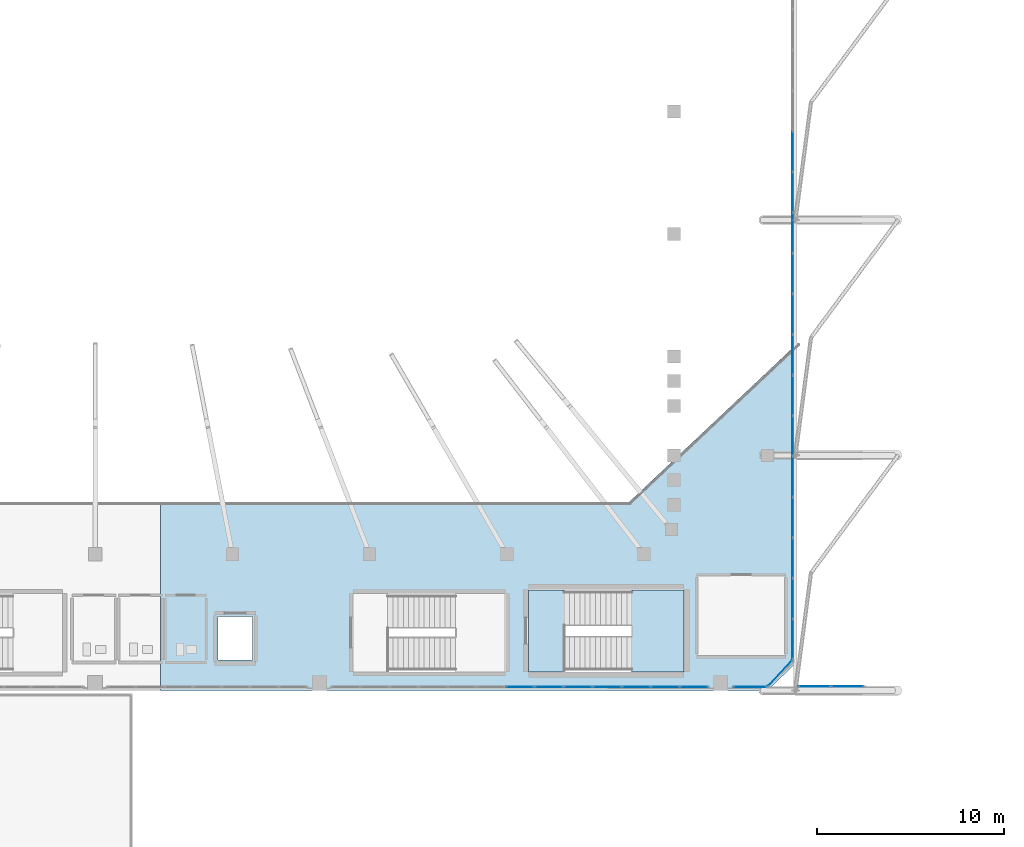
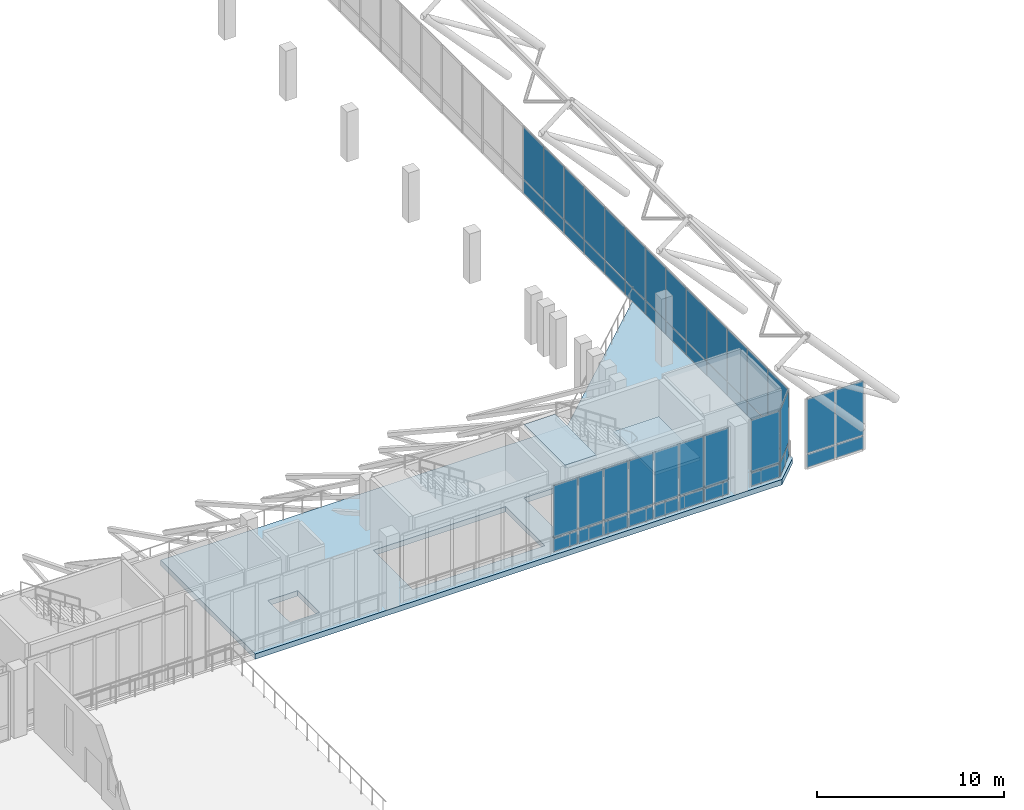
# One storey, part 45 of 79: 48 plates, 3 slabs, 6 elements without a shape of their own.
"""IFC4 building model written with IfcOpenShell, lengths in metres."""

from ifc_helpers import new_model, si_unit, derived_unit, direction, frame, origin, origin_2d, place, context, subcontext, project, spatial, polyline, rectangle, outline, extrude, material, layer, layer_set, type_object, element, aggregate, save


model = new_model("IFC4")

# Units and contexts
model_context = context("Model", 3, precision=1e-05, world=origin(), true_north=direction((0.0, 1.0)))
body_context = subcontext(model_context, "Body", "Model", "MODEL_VIEW")
ifc_project = project(units=[si_unit("LENGTHUNIT", "METRE"), si_unit("AREAUNIT", "SQUARE_METRE"), si_unit("VOLUMEUNIT", "CUBIC_METRE"), si_unit("PLANEANGLEUNIT", "RADIAN"), si_unit("MASSUNIT", "GRAM", prefix="KILO"), derived_unit("THERMALTRANSMITTANCEUNIT", [(si_unit("MASSUNIT", "GRAM", prefix="KILO"), 1), (si_unit("TIMEUNIT", "SECOND"), -3), (si_unit("THERMODYNAMICTEMPERATUREUNIT", "KELVIN"), -1)])], contexts=[model_context])

# Site, building, storey
site_placement = place(None, origin())
site = spatial("IfcSite", under=ifc_project, at=site_placement, CompositionType="ELEMENT")
building_placement = place(site_placement, origin())
building = spatial("IfcBuilding", under=site, at=building_placement, Name="Valcora Ridge Arena", CompositionType="ELEMENT")
storey_placement = place(building_placement, frame((0.0, 0.0, 16.199951171875)))
storey = spatial("IfcBuildingStorey", under=building, at=storey_placement, Name="L03", CompositionType="ELEMENT", Elevation=16.199951171875)

# Stair, slabs
ifc_material_1 = material(Name="Concrete C40/50", Category="concrete")
stair_type = type_object("IfcStairType", Name="TY-STAIR-ST02-48", PredefinedType="HALF_TURN_STAIR", material=ifc_material_1)
stair_placement = place(storey_placement, origin())
stair = element("IfcStair", 1, at=stair_placement, inside=storey, type_object=stair_type, Name="ST02-48 STR-CR-0011", PredefinedType="HALF_TURN_STAIR")
ifc_layer_1 = layer(ifc_material_1, 0.199951171875, Name="Concrete C40/50")
ifc_layer_set_1 = layer_set([ifc_layer_1], Name="Concrete C40/50")
slab_type_1 = type_object("IfcSlabType", Name="TY-LAND-ST02-48", PredefinedType="LANDING", material=ifc_layer_set_1)
slab_1_placement = place(storey_placement, frame((0.0, 0.0, 2.199951171875)))
slab_1 = element("IfcSlab", 2, at=slab_1_placement, type_object=slab_type_1, Name="ST02-48 landing 1", PredefinedType="LANDING", context=body_context, shape_type="SweptSolid", body=[
    extrude(outline(polyline([(86.72998046875, 21.001953125), (89.51806640625, 21.001953125), (89.51806640625, 25.39794921875), (86.72998046875, 25.39794921875), (86.72998046875, 21.001953125)])), origin(), (0.0, 0.0, 1.0), 0.2001953125),
])
slab_2_placement = place(storey_placement, frame((0.0, 0.0, 4.60009765625)))
slab_2 = element("IfcSlab", 3, at=slab_2_placement, type_object=slab_type_1, Name="ST02-48 landing 2", PredefinedType="LANDING", context=body_context, shape_type="SweptSolid", body=[
    extrude(outline(polyline([(81.201904296875, 21.001953125), (83.1298828125, 21.001953125), (83.1298828125, 25.39794921875), (81.201904296875, 25.39794921875), (81.201904296875, 21.001953125)])), origin(), (0.0, 0.0, 1.0), 0.199951171875),
])
aggregate(stair, [slab_1, slab_2])

# Curtain wall, plates
ifc_material_2 = material(Name="Anodised dark bronze architectural aluminium 6063-T6", Category="aluminium")
ifc_layer_2 = layer(ifc_material_2, 0.179931640625, Name="Anodised dark bronze architectural aluminium 6063-T6")
ifc_layer_set_2 = layer_set([ifc_layer_2], Name="Anodised dark bronze architectural aluminium 6063-T6")
curtain_wall_type_1 = type_object("IfcCurtainWallType", Name="TY-CURTAINWALL-CW-V1-GOTH-202X44", PredefinedType="NOTDEFINED", material=ifc_layer_set_2)
curtain_wall_1_placement = place(storey_placement, origin())
curtain_wall_1 = element("IfcCurtainWall", 4, at=curtain_wall_1_placement, inside=storey, type_object=curtain_wall_type_1, Name="CW-V1-GOTH-202X44 CW-0140", PredefinedType="NOTDEFINED")
ifc_material_3 = material(Name="Low-iron solar-control double glazing SHGC 0.28", Category="glass")
ifc_layer_3 = layer(ifc_material_3, 0.031982421875, Name="Low-iron solar-control double glazing SHGC 0.28")
ifc_layer_set_3 = layer_set([ifc_layer_3], Name="Low-iron solar-control double glazing SHGC 0.28")
plate_type_1 = type_object("IfcPlateType", Name="TY-PLT-CWP-1465X0860", PredefinedType="CURTAIN_PANEL", material=ifc_layer_set_3)
plate_1_placement = place(storey_placement, frame((90.0673828125, 20.199951171875, 0.06005859375), z_axis=(0.0, 0.0, 1.0), x_axis=(1.0, 0.0, 0.0)))
plate_1 = element("IfcPlate", 5, at=plate_1_placement, type_object=plate_type_1, Name="CW-0140/P12-00", PredefinedType="CURTAIN_PANEL", context=body_context, shape_type="SweptSolid", body=[
    extrude(rectangle(XDim=1.465087890625, YDim=0.031982421875, at=origin_2d()), origin(), (0.0, 0.0, 1.0), 0.860107421875),
])
ifc_layer_4 = layer(ifc_material_3, 0.031982421875, Name="Low-iron solar-control double glazing SHGC 0.28")
ifc_layer_set_4 = layer_set([ifc_layer_4], Name="Low-iron solar-control double glazing SHGC 0.28")
plate_type_2 = type_object("IfcPlateType", Name="TY-PLT-CWP-1465X3400", PredefinedType="CURTAIN_PANEL", material=ifc_layer_set_4)
plate_2_placement = place(storey_placement, frame((90.0673828125, 20.199951171875, 0.97998046875), z_axis=(0.0, 0.0, 1.0), x_axis=(1.0, 0.0, 0.0)))
plate_2 = element("IfcPlate", 6, at=plate_2_placement, type_object=plate_type_2, Name="CW-0140/P12-01", PredefinedType="CURTAIN_PANEL", context=body_context, shape_type="SweptSolid", body=[
    extrude(rectangle(XDim=1.465087890625, YDim=0.031982421875, at=origin_2d()), origin(), (0.0, 0.0, 1.0), 3.39990234375),
])
ifc_layer_5 = layer(ifc_material_3, 0.031982421875, Name="Low-iron solar-control double glazing SHGC 0.28")
ifc_layer_set_5 = layer_set([ifc_layer_5], Name="Low-iron solar-control double glazing SHGC 0.28")
plate_type_3 = type_object("IfcPlateType", Name="TY-PLT-CWP-1495X0860", PredefinedType="CURTAIN_PANEL", material=ifc_layer_set_5)
plate_3_placement = place(storey_placement, frame((82.305419921875, 20.199951171875, 0.06005859375), z_axis=(0.0, 0.0, 1.0), x_axis=(1.0, 0.0, 0.0)))
plate_3 = element("IfcPlate", 7, at=plate_3_placement, type_object=plate_type_3, Name="CW-0140/P07-00", PredefinedType="CURTAIN_PANEL", context=body_context, shape_type="SweptSolid", body=[
    extrude(rectangle(XDim=1.4951171875, YDim=0.031982421875, at=origin_2d()), origin(), (0.0, 0.0, 1.0), 0.860107421875),
])
plate_4_placement = place(storey_placement, frame((83.860595703125, 20.199951171875, 0.06005859375), z_axis=(0.0, 0.0, 1.0), x_axis=(1.0, 0.0, 0.0)))
plate_4 = element("IfcPlate", 8, at=plate_4_placement, type_object=plate_type_3, Name="CW-0140/P08-00", PredefinedType="CURTAIN_PANEL", context=body_context, shape_type="SweptSolid", body=[
    extrude(rectangle(XDim=1.4951171875, YDim=0.031982421875, at=origin_2d()), origin(), (0.0, 0.0, 1.0), 0.860107421875),
])
plate_5_placement = place(storey_placement, frame((86.971435546875, 20.199951171875, 0.06005859375), z_axis=(0.0, 0.0, 1.0), x_axis=(1.0, 0.0, 0.0)))
plate_5 = element("IfcPlate", 9, at=plate_5_placement, type_object=plate_type_3, Name="CW-0140/P10-00", PredefinedType="CURTAIN_PANEL", context=body_context, shape_type="SweptSolid", body=[
    extrude(rectangle(XDim=1.4951171875, YDim=0.031982421875, at=origin_2d()), origin(), (0.0, 0.0, 1.0), 0.860107421875),
])
ifc_layer_6 = layer(ifc_material_3, 0.031982421875, Name="Low-iron solar-control double glazing SHGC 0.28")
ifc_layer_set_6 = layer_set([ifc_layer_6], Name="Low-iron solar-control double glazing SHGC 0.28")
plate_type_4 = type_object("IfcPlateType", Name="TY-PLT-CWP-1495X3400", PredefinedType="CURTAIN_PANEL", material=ifc_layer_set_6)
plate_6_placement = place(storey_placement, frame((82.305419921875, 20.199951171875, 0.97998046875), z_axis=(0.0, 0.0, 1.0), x_axis=(1.0, 0.0, 0.0)))
plate_6 = element("IfcPlate", 10, at=plate_6_placement, type_object=plate_type_4, Name="CW-0140/P07-01", PredefinedType="CURTAIN_PANEL", context=body_context, shape_type="SweptSolid", body=[
    extrude(rectangle(XDim=1.4951171875, YDim=0.031982421875, at=origin_2d()), origin(), (0.0, 0.0, 1.0), 3.39990234375),
])
plate_7_placement = place(storey_placement, frame((83.860595703125, 20.199951171875, 0.97998046875), z_axis=(0.0, 0.0, 1.0), x_axis=(1.0, 0.0, 0.0)))
plate_7 = element("IfcPlate", 11, at=plate_7_placement, type_object=plate_type_4, Name="CW-0140/P08-01", PredefinedType="CURTAIN_PANEL", context=body_context, shape_type="SweptSolid", body=[
    extrude(rectangle(XDim=1.4951171875, YDim=0.031982421875, at=origin_2d()), origin(), (0.0, 0.0, 1.0), 3.39990234375),
])
plate_8_placement = place(storey_placement, frame((86.971435546875, 20.199951171875, 0.97998046875), z_axis=(0.0, 0.0, 1.0), x_axis=(1.0, 0.0, 0.0)))
plate_8 = element("IfcPlate", 12, at=plate_8_placement, type_object=plate_type_4, Name="CW-0140/P10-01", PredefinedType="CURTAIN_PANEL", context=body_context, shape_type="SweptSolid", body=[
    extrude(rectangle(XDim=1.4951171875, YDim=0.031982421875, at=origin_2d()), origin(), (0.0, 0.0, 1.0), 3.39990234375),
])
ifc_layer_7 = layer(ifc_material_3, 0.031982421875, Name="Low-iron solar-control double glazing SHGC 0.28")
ifc_layer_set_7 = layer_set([ifc_layer_7], Name="Low-iron solar-control double glazing SHGC 0.28")
plate_type_5 = type_object("IfcPlateType", Name="TY-PLT-CWP-1496X0860", PredefinedType="CURTAIN_PANEL", material=ifc_layer_set_7)
plate_9_placement = place(storey_placement, frame((80.75, 20.199951171875, 0.06005859375), z_axis=(0.0, 0.0, 1.0), x_axis=(1.0, 0.0, 0.0)))
plate_9 = element("IfcPlate", 13, at=plate_9_placement, type_object=plate_type_5, Name="CW-0140/P06-00", PredefinedType="CURTAIN_PANEL", context=body_context, shape_type="SweptSolid", body=[
    extrude(rectangle(XDim=1.49609375, YDim=0.031982421875, at=origin_2d()), origin(), (0.0, 0.0, 1.0), 0.860107421875),
])
plate_10_placement = place(storey_placement, frame((85.416015625, 20.199951171875, 0.06005859375), z_axis=(0.0, 0.0, 1.0), x_axis=(1.0, 0.0, 0.0)))
plate_10 = element("IfcPlate", 14, at=plate_10_placement, type_object=plate_type_5, Name="CW-0140/P09-00", PredefinedType="CURTAIN_PANEL", context=body_context, shape_type="SweptSolid", body=[
    extrude(rectangle(XDim=1.49609375, YDim=0.031982421875, at=origin_2d()), origin(), (0.0, 0.0, 1.0), 0.860107421875),
])
plate_11_placement = place(storey_placement, frame((88.527099609375, 20.199951171875, 0.06005859375), z_axis=(0.0, 0.0, 1.0), x_axis=(1.0, 0.0, 0.0)))
plate_11 = element("IfcPlate", 15, at=plate_11_placement, type_object=plate_type_5, Name="CW-0140/P11-00", PredefinedType="CURTAIN_PANEL", context=body_context, shape_type="SweptSolid", body=[
    extrude(rectangle(XDim=1.49609375, YDim=0.031982421875, at=origin_2d()), origin(), (0.0, 0.0, 1.0), 0.860107421875),
])
ifc_layer_8 = layer(ifc_material_3, 0.031982421875, Name="Low-iron solar-control double glazing SHGC 0.28")
ifc_layer_set_8 = layer_set([ifc_layer_8], Name="Low-iron solar-control double glazing SHGC 0.28")
plate_type_6 = type_object("IfcPlateType", Name="TY-PLT-CWP-1496X3400", PredefinedType="CURTAIN_PANEL", material=ifc_layer_set_8)
plate_12_placement = place(storey_placement, frame((80.75, 20.199951171875, 0.97998046875), z_axis=(0.0, 0.0, 1.0), x_axis=(1.0, 0.0, 0.0)))
plate_12 = element("IfcPlate", 16, at=plate_12_placement, type_object=plate_type_6, Name="CW-0140/P06-01", PredefinedType="CURTAIN_PANEL", context=body_context, shape_type="SweptSolid", body=[
    extrude(rectangle(XDim=1.49609375, YDim=0.031982421875, at=origin_2d()), origin(), (0.0, 0.0, 1.0), 3.39990234375),
])
plate_13_placement = place(storey_placement, frame((85.416015625, 20.199951171875, 0.97998046875), z_axis=(0.0, 0.0, 1.0), x_axis=(1.0, 0.0, 0.0)))
plate_13 = element("IfcPlate", 17, at=plate_13_placement, type_object=plate_type_6, Name="CW-0140/P09-01", PredefinedType="CURTAIN_PANEL", context=body_context, shape_type="SweptSolid", body=[
    extrude(rectangle(XDim=1.49609375, YDim=0.031982421875, at=origin_2d()), origin(), (0.0, 0.0, 1.0), 3.39990234375),
])
plate_14_placement = place(storey_placement, frame((88.527099609375, 20.199951171875, 0.97998046875), z_axis=(0.0, 0.0, 1.0), x_axis=(1.0, 0.0, 0.0)))
plate_14 = element("IfcPlate", 18, at=plate_14_placement, type_object=plate_type_6, Name="CW-0140/P11-01", PredefinedType="CURTAIN_PANEL", context=body_context, shape_type="SweptSolid", body=[
    extrude(rectangle(XDim=1.49609375, YDim=0.031982421875, at=origin_2d()), origin(), (0.0, 0.0, 1.0), 3.39990234375),
])
aggregate(curtain_wall_1, [plate_9, plate_12, plate_3, plate_6, plate_4, plate_7, plate_10, plate_13, plate_5, plate_8, plate_11, plate_14, plate_1, plate_2])

ifc_layer_9 = layer(ifc_material_2, 0.179931640625, Name="Anodised dark bronze architectural aluminium 6063-T6")
ifc_layer_set_9 = layer_set([ifc_layer_9], Name="Anodised dark bronze architectural aluminium 6063-T6")
curtain_wall_type_2 = type_object("IfcCurtainWallType", Name="TY-CURTAINWALL-CW-V1-TYMPS-036X46", PredefinedType="NOTDEFINED", material=ifc_layer_set_9)
curtain_wall_2_placement = place(storey_placement, origin())
curtain_wall_2 = element("IfcCurtainWall", 19, at=curtain_wall_2_placement, inside=storey, type_object=curtain_wall_type_2, Name="CW-V1-TYMPS-036X46 CW-0182", PredefinedType="NOTDEFINED")
ifc_layer_10 = layer(ifc_material_3, 0.031982421875, Name="Low-iron solar-control double glazing SHGC 0.28")
ifc_layer_set_10 = layer_set([ifc_layer_10], Name="Low-iron solar-control double glazing SHGC 0.28")
plate_type_7 = type_object("IfcPlateType", Name="TY-PLT-CWP-1710X0860", PredefinedType="CURTAIN_PANEL", material=ifc_layer_set_10)
plate_15_placement = place(storey_placement, frame((96.514892578125, 20.219970703125, 0.06005859375), z_axis=(0.0, 0.0, 1.0), x_axis=(1.0, 0.0, 0.0)))
plate_15 = element("IfcPlate", 20, at=plate_15_placement, type_object=plate_type_7, Name="CW-0182/P00-00", PredefinedType="CURTAIN_PANEL", context=body_context, shape_type="SweptSolid", body=[
    extrude(rectangle(XDim=1.7099609375, YDim=0.031982421875, at=origin_2d()), origin(), (0.0, 0.0, 1.0), 0.860107421875),
])
plate_16_placement = place(storey_placement, frame((98.284912109375, 20.219970703125, 0.06005859375), z_axis=(0.0, 0.0, 1.0), x_axis=(1.0, 0.0, 0.0)))
plate_16 = element("IfcPlate", 21, at=plate_16_placement, type_object=plate_type_7, Name="CW-0182/P01-00", PredefinedType="CURTAIN_PANEL", context=body_context, shape_type="SweptSolid", body=[
    extrude(rectangle(XDim=1.7099609375, YDim=0.031982421875, at=origin_2d()), origin(), (0.0, 0.0, 1.0), 0.860107421875),
])
ifc_layer_11 = layer(ifc_material_3, 0.031982421875, Name="Low-iron solar-control double glazing SHGC 0.28")
ifc_layer_set_11 = layer_set([ifc_layer_11], Name="Low-iron solar-control double glazing SHGC 0.28")
plate_type_8 = type_object("IfcPlateType", Name="TY-PLT-CWP-1710X3539", PredefinedType="CURTAIN_PANEL", material=ifc_layer_set_11)
plate_17_placement = place(storey_placement, frame((96.514892578125, 20.219970703125, 0.97998046875), z_axis=(0.0, 0.0, 1.0), x_axis=(1.0, 0.0, 0.0)))
plate_17 = element("IfcPlate", 22, at=plate_17_placement, type_object=plate_type_8, Name="CW-0182/P00-01", PredefinedType="CURTAIN_PANEL", context=body_context, shape_type="SweptSolid", body=[
    extrude(rectangle(XDim=1.7099609375, YDim=0.031982421875, at=origin_2d()), origin(), (0.0, 0.0, 1.0), 3.5390625),
])
plate_18_placement = place(storey_placement, frame((98.284912109375, 20.219970703125, 0.97998046875), z_axis=(0.0, 0.0, 1.0), x_axis=(1.0, 0.0, 0.0)))
plate_18 = element("IfcPlate", 23, at=plate_18_placement, type_object=plate_type_8, Name="CW-0182/P01-01", PredefinedType="CURTAIN_PANEL", context=body_context, shape_type="SweptSolid", body=[
    extrude(rectangle(XDim=1.7099609375, YDim=0.031982421875, at=origin_2d()), origin(), (0.0, 0.0, 1.0), 3.5390625),
])
aggregate(curtain_wall_2, [plate_15, plate_17, plate_16, plate_18])

ifc_layer_12 = layer(ifc_material_2, 0.179931640625, Name="Anodised dark bronze architectural aluminium 6063-T6")
ifc_layer_set_12 = layer_set([ifc_layer_12], Name="Anodised dark bronze architectural aluminium 6063-T6")
curtain_wall_type_3 = type_object("IfcCurtainWallType", Name="TY-CURTAINWALL-CW-V1-GOTH-019X44", PredefinedType="NOTDEFINED", material=ifc_layer_set_12)
curtain_wall_3_placement = place(storey_placement, origin())
curtain_wall_3 = element("IfcCurtainWall", 24, at=curtain_wall_3_placement, inside=storey, type_object=curtain_wall_type_3, Name="CW-V1-GOTH-019X44 CW-0141", PredefinedType="NOTDEFINED")
ifc_layer_13 = layer(ifc_material_3, 0.031982421875, Name="Low-iron solar-control double glazing SHGC 0.28")
ifc_layer_set_13 = layer_set([ifc_layer_13], Name="Low-iron solar-control double glazing SHGC 0.28")
plate_type_9 = type_object("IfcPlateType", Name="TY-PLT-CWP-1740X0860", PredefinedType="CURTAIN_PANEL", material=ifc_layer_set_13)
plate_19_placement = place(storey_placement, frame((93.070068359375, 20.199951171875, 0.06005859375), z_axis=(0.0, 0.0, 1.0), x_axis=(1.0, 0.0, 0.0)))
plate_19 = element("IfcPlate", 25, at=plate_19_placement, type_object=plate_type_9, Name="CW-0141/P00-00", PredefinedType="CURTAIN_PANEL", context=body_context, shape_type="SweptSolid", body=[
    extrude(rectangle(XDim=1.739990234375, YDim=0.031982421875, at=origin_2d()), origin(), (0.0, 0.0, 1.0), 0.860107421875),
])
ifc_layer_14 = layer(ifc_material_3, 0.031982421875, Name="Low-iron solar-control double glazing SHGC 0.28")
ifc_layer_set_14 = layer_set([ifc_layer_14], Name="Low-iron solar-control double glazing SHGC 0.28")
plate_type_10 = type_object("IfcPlateType", Name="TY-PLT-CWP-1740X3400", PredefinedType="CURTAIN_PANEL", material=ifc_layer_set_14)
plate_20_placement = place(storey_placement, frame((93.070068359375, 20.199951171875, 0.97998046875), z_axis=(0.0, 0.0, 1.0), x_axis=(1.0, 0.0, 0.0)))
plate_20 = element("IfcPlate", 26, at=plate_20_placement, type_object=plate_type_10, Name="CW-0141/P00-01", PredefinedType="CURTAIN_PANEL", context=body_context, shape_type="SweptSolid", body=[
    extrude(rectangle(XDim=1.739990234375, YDim=0.031982421875, at=origin_2d()), origin(), (0.0, 0.0, 1.0), 3.39990234375),
])
aggregate(curtain_wall_3, [plate_19, plate_20])

ifc_layer_15 = layer(ifc_material_2, 0.14990234375, Name="Anodised dark bronze architectural aluminium 6063-T6")
ifc_layer_set_15 = layer_set([ifc_layer_15], Name="Anodised dark bronze architectural aluminium 6063-T6")
curtain_wall_type_4 = type_object("IfcCurtainWallType", Name="TY-CURTAINWALL-CW-V1-EAST-020X44", PredefinedType="NOTDEFINED", material=ifc_layer_set_15)
curtain_wall_4_placement = place(storey_placement, origin())
curtain_wall_4 = element("IfcCurtainWall", 27, at=curtain_wall_4_placement, inside=storey, type_object=curtain_wall_type_4, Name="CW-V1-EAST-020X44 CW-0146", PredefinedType="NOTDEFINED")
ifc_layer_16 = layer(ifc_material_3, 0.028076171875, Name="Low-iron solar-control double glazing SHGC 0.28")
ifc_layer_set_16 = layer_set([ifc_layer_16], Name="Low-iron solar-control double glazing SHGC 0.28")
plate_type_11 = type_object("IfcPlateType", Name="TY-PLT-CWP-1884X0875", PredefinedType="CURTAIN_PANEL", material=ifc_layer_set_16)
plate_21_placement = place(storey_placement, frame((94.675048828125, 20.927001953125, 0.050048828125), z_axis=(0.0, 0.0, 1.0), x_axis=(0.680462563892, 0.732782845829, 0.0)))
plate_21 = element("IfcPlate", 28, at=plate_21_placement, type_object=plate_type_11, Name="CW-0146/P00-00", PredefinedType="CURTAIN_PANEL", context=body_context, shape_type="SweptSolid", body=[
    extrude(rectangle(XDim=1.884033203125, YDim=0.028076171875, at=origin_2d()), origin(), (0.0, 0.0, 1.0), 0.875),
])
ifc_layer_17 = layer(ifc_material_3, 0.028076171875, Name="Low-iron solar-control double glazing SHGC 0.28")
ifc_layer_set_17 = layer_set([ifc_layer_17], Name="Low-iron solar-control double glazing SHGC 0.28")
plate_type_12 = type_object("IfcPlateType", Name="TY-PLT-CWP-1884X3415", PredefinedType="CURTAIN_PANEL", material=ifc_layer_set_17)
plate_22_placement = place(storey_placement, frame((94.675048828125, 20.927001953125, 0.97509765625), z_axis=(0.0, 0.0, 1.0), x_axis=(0.680462563892, 0.732782845829, 0.0)))
plate_22 = element("IfcPlate", 29, at=plate_22_placement, type_object=plate_type_12, Name="CW-0146/P00-01", PredefinedType="CURTAIN_PANEL", context=body_context, shape_type="SweptSolid", body=[
    extrude(rectangle(XDim=1.884033203125, YDim=0.028076171875, at=origin_2d()), origin(), (0.0, 0.0, 1.0), 3.4150390625),
])
aggregate(curtain_wall_4, [plate_21, plate_22])

ifc_layer_18 = layer(ifc_material_2, 0.14990234375, Name="Anodised dark bronze architectural aluminium 6063-T6")
ifc_layer_set_18 = layer_set([ifc_layer_18], Name="Anodised dark bronze architectural aluminium 6063-T6")
curtain_wall_type_5 = type_object("IfcCurtainWallType", Name="TY-CURTAINWALL-CW-V1-EAST-849X44", PredefinedType="NOTDEFINED", material=ifc_layer_set_18)
curtain_wall_5_placement = place(storey_placement, origin())
curtain_wall_5 = element("IfcCurtainWall", 30, at=curtain_wall_5_placement, inside=storey, type_object=curtain_wall_type_5, Name="CW-V1-EAST-849X44 CW-0147", PredefinedType="NOTDEFINED")
ifc_layer_19 = layer(ifc_material_3, 0.028076171875, Name="Low-iron solar-control double glazing SHGC 0.28")
ifc_layer_set_19 = layer_set([ifc_layer_19], Name="Low-iron solar-control double glazing SHGC 0.28")
plate_type_13 = type_object("IfcPlateType", Name="TY-PLT-CWP-2102X0875", PredefinedType="CURTAIN_PANEL", material=ifc_layer_set_19)
plate_23_placement = place(storey_placement, frame((95.35009765625, 22.7548828125, 0.050048828125), z_axis=(0.0, 0.0, 1.0), x_axis=(0.0, 1.0, 0.0)))
plate_23 = element("IfcPlate", 31, at=plate_23_placement, type_object=plate_type_13, Name="CW-0147/P00-00", PredefinedType="CURTAIN_PANEL", context=body_context, shape_type="SweptSolid", body=[
    extrude(rectangle(XDim=2.10205078125, YDim=0.028076171875, at=origin_2d()), origin(), (0.0, 0.0, 1.0), 0.875),
])
ifc_layer_20 = layer(ifc_material_3, 0.028076171875, Name="Low-iron solar-control double glazing SHGC 0.28")
ifc_layer_set_20 = layer_set([ifc_layer_20], Name="Low-iron solar-control double glazing SHGC 0.28")
plate_type_14 = type_object("IfcPlateType", Name="TY-PLT-CWP-2102X3415", PredefinedType="CURTAIN_PANEL", material=ifc_layer_set_20)
plate_24_placement = place(storey_placement, frame((95.35009765625, 22.7548828125, 0.97509765625), z_axis=(0.0, 0.0, 1.0), x_axis=(0.0, 1.0, 0.0)))
plate_24 = element("IfcPlate", 32, at=plate_24_placement, type_object=plate_type_14, Name="CW-0147/P00-01", PredefinedType="CURTAIN_PANEL", context=body_context, shape_type="SweptSolid", body=[
    extrude(rectangle(XDim=2.10205078125, YDim=0.028076171875, at=origin_2d()), origin(), (0.0, 0.0, 1.0), 3.4150390625),
])
ifc_layer_21 = layer(ifc_material_3, 0.028076171875, Name="Low-iron solar-control double glazing SHGC 0.28")
ifc_layer_set_21 = layer_set([ifc_layer_21], Name="Low-iron solar-control double glazing SHGC 0.28")
plate_type_15 = type_object("IfcPlateType", Name="TY-PLT-CWP-2126X0875", PredefinedType="CURTAIN_PANEL", material=ifc_layer_set_21)
plate_25_placement = place(storey_placement, frame((95.35009765625, 24.918701171875, 0.050048828125), z_axis=(0.0, 0.0, 1.0), x_axis=(0.0, 1.0, 0.0)))
plate_25 = element("IfcPlate", 33, at=plate_25_placement, type_object=plate_type_15, Name="CW-0147/P01-00", PredefinedType="CURTAIN_PANEL", context=body_context, shape_type="SweptSolid", body=[
    extrude(rectangle(XDim=2.1259765625, YDim=0.028076171875, at=origin_2d()), origin(), (0.0, 0.0, 1.0), 0.875),
])
plate_26_placement = place(storey_placement, frame((95.35009765625, 33.625732421875, 0.050048828125), z_axis=(0.0, 0.0, 1.0), x_axis=(0.0, 1.0, 0.0)))
plate_26 = element("IfcPlate", 34, at=plate_26_placement, type_object=plate_type_15, Name="CW-0147/P05-00", PredefinedType="CURTAIN_PANEL", context=body_context, shape_type="SweptSolid", body=[
    extrude(rectangle(XDim=2.1259765625, YDim=0.028076171875, at=origin_2d()), origin(), (0.0, 0.0, 1.0), 0.875),
])
plate_27_placement = place(storey_placement, frame((95.35009765625, 42.332763671875, 0.050048828125), z_axis=(0.0, 0.0, 1.0), x_axis=(0.0, 1.0, 0.0)))
plate_27 = element("IfcPlate", 35, at=plate_27_placement, type_object=plate_type_15, Name="CW-0147/P09-00", PredefinedType="CURTAIN_PANEL", context=body_context, shape_type="SweptSolid", body=[
    extrude(rectangle(XDim=2.1259765625, YDim=0.028076171875, at=origin_2d()), origin(), (0.0, 0.0, 1.0), 0.875),
])
plate_28_placement = place(storey_placement, frame((95.35009765625, 48.86279296875, 0.050048828125), z_axis=(0.0, 0.0, 1.0), x_axis=(0.0, 1.0, 0.0)))
plate_28 = element("IfcPlate", 36, at=plate_28_placement, type_object=plate_type_15, Name="CW-0147/P12-00", PredefinedType="CURTAIN_PANEL", context=body_context, shape_type="SweptSolid", body=[
    extrude(rectangle(XDim=2.1259765625, YDim=0.028076171875, at=origin_2d()), origin(), (0.0, 0.0, 1.0), 0.875),
])
ifc_layer_22 = layer(ifc_material_3, 0.028076171875, Name="Low-iron solar-control double glazing SHGC 0.28")
ifc_layer_set_22 = layer_set([ifc_layer_22], Name="Low-iron solar-control double glazing SHGC 0.28")
plate_type_16 = type_object("IfcPlateType", Name="TY-PLT-CWP-2126X3415", PredefinedType="CURTAIN_PANEL", material=ifc_layer_set_22)
plate_29_placement = place(storey_placement, frame((95.35009765625, 24.918701171875, 0.97509765625), z_axis=(0.0, 0.0, 1.0), x_axis=(0.0, 1.0, 0.0)))
plate_29 = element("IfcPlate", 37, at=plate_29_placement, type_object=plate_type_16, Name="CW-0147/P01-01", PredefinedType="CURTAIN_PANEL", context=body_context, shape_type="SweptSolid", body=[
    extrude(rectangle(XDim=2.1259765625, YDim=0.028076171875, at=origin_2d()), origin(), (0.0, 0.0, 1.0), 3.4150390625),
])
plate_30_placement = place(storey_placement, frame((95.35009765625, 33.625732421875, 0.97509765625), z_axis=(0.0, 0.0, 1.0), x_axis=(0.0, 1.0, 0.0)))
plate_30 = element("IfcPlate", 38, at=plate_30_placement, type_object=plate_type_16, Name="CW-0147/P05-01", PredefinedType="CURTAIN_PANEL", context=body_context, shape_type="SweptSolid", body=[
    extrude(rectangle(XDim=2.1259765625, YDim=0.028076171875, at=origin_2d()), origin(), (0.0, 0.0, 1.0), 3.4150390625),
])
plate_31_placement = place(storey_placement, frame((95.35009765625, 42.332763671875, 0.97509765625), z_axis=(0.0, 0.0, 1.0), x_axis=(0.0, 1.0, 0.0)))
plate_31 = element("IfcPlate", 39, at=plate_31_placement, type_object=plate_type_16, Name="CW-0147/P09-01", PredefinedType="CURTAIN_PANEL", context=body_context, shape_type="SweptSolid", body=[
    extrude(rectangle(XDim=2.1259765625, YDim=0.028076171875, at=origin_2d()), origin(), (0.0, 0.0, 1.0), 3.4150390625),
])
plate_32_placement = place(storey_placement, frame((95.35009765625, 48.86279296875, 0.97509765625), z_axis=(0.0, 0.0, 1.0), x_axis=(0.0, 1.0, 0.0)))
plate_32 = element("IfcPlate", 40, at=plate_32_placement, type_object=plate_type_16, Name="CW-0147/P12-01", PredefinedType="CURTAIN_PANEL", context=body_context, shape_type="SweptSolid", body=[
    extrude(rectangle(XDim=2.1259765625, YDim=0.028076171875, at=origin_2d()), origin(), (0.0, 0.0, 1.0), 3.4150390625),
])
ifc_layer_23 = layer(ifc_material_3, 0.028076171875, Name="Low-iron solar-control double glazing SHGC 0.28")
ifc_layer_set_23 = layer_set([ifc_layer_23], Name="Low-iron solar-control double glazing SHGC 0.28")
plate_type_17 = type_object("IfcPlateType", Name="TY-PLT-CWP-2127X0875", PredefinedType="CURTAIN_PANEL", material=ifc_layer_set_23)
plate_33_placement = place(storey_placement, frame((95.35009765625, 27.09521484375, 0.050048828125), z_axis=(0.0, 0.0, 1.0), x_axis=(0.0, 1.0, 0.0)))
plate_33 = element("IfcPlate", 41, at=plate_33_placement, type_object=plate_type_17, Name="CW-0147/P02-00", PredefinedType="CURTAIN_PANEL", context=body_context, shape_type="SweptSolid", body=[
    extrude(rectangle(XDim=2.126953125, YDim=0.028076171875, at=origin_2d()), origin(), (0.0, 0.0, 1.0), 0.875),
])
plate_34_placement = place(storey_placement, frame((95.35009765625, 29.272216796875, 0.050048828125), z_axis=(0.0, 0.0, 1.0), x_axis=(0.0, 1.0, 0.0)))
plate_34 = element("IfcPlate", 42, at=plate_34_placement, type_object=plate_type_17, Name="CW-0147/P03-00", PredefinedType="CURTAIN_PANEL", context=body_context, shape_type="SweptSolid", body=[
    extrude(rectangle(XDim=2.126953125, YDim=0.028076171875, at=origin_2d()), origin(), (0.0, 0.0, 1.0), 0.875),
])
plate_35_placement = place(storey_placement, frame((95.35009765625, 31.44921875, 0.050048828125), z_axis=(0.0, 0.0, 1.0), x_axis=(0.0, 1.0, 0.0)))
plate_35 = element("IfcPlate", 43, at=plate_35_placement, type_object=plate_type_17, Name="CW-0147/P04-00", PredefinedType="CURTAIN_PANEL", context=body_context, shape_type="SweptSolid", body=[
    extrude(rectangle(XDim=2.126953125, YDim=0.028076171875, at=origin_2d()), origin(), (0.0, 0.0, 1.0), 0.875),
])
plate_36_placement = place(storey_placement, frame((95.35009765625, 35.80224609375, 0.050048828125), z_axis=(0.0, 0.0, 1.0), x_axis=(0.0, 1.0, 0.0)))
plate_36 = element("IfcPlate", 44, at=plate_36_placement, type_object=plate_type_17, Name="CW-0147/P06-00", PredefinedType="CURTAIN_PANEL", context=body_context, shape_type="SweptSolid", body=[
    extrude(rectangle(XDim=2.126953125, YDim=0.028076171875, at=origin_2d()), origin(), (0.0, 0.0, 1.0), 0.875),
])
plate_37_placement = place(storey_placement, frame((95.35009765625, 37.979248046875, 0.050048828125), z_axis=(0.0, 0.0, 1.0), x_axis=(0.0, 1.0, 0.0)))
plate_37 = element("IfcPlate", 45, at=plate_37_placement, type_object=plate_type_17, Name="CW-0147/P07-00", PredefinedType="CURTAIN_PANEL", context=body_context, shape_type="SweptSolid", body=[
    extrude(rectangle(XDim=2.126953125, YDim=0.028076171875, at=origin_2d()), origin(), (0.0, 0.0, 1.0), 0.875),
])
plate_38_placement = place(storey_placement, frame((95.35009765625, 40.15625, 0.050048828125), z_axis=(0.0, 0.0, 1.0), x_axis=(0.0, 1.0, 0.0)))
plate_38 = element("IfcPlate", 46, at=plate_38_placement, type_object=plate_type_17, Name="CW-0147/P08-00", PredefinedType="CURTAIN_PANEL", context=body_context, shape_type="SweptSolid", body=[
    extrude(rectangle(XDim=2.126953125, YDim=0.028076171875, at=origin_2d()), origin(), (0.0, 0.0, 1.0), 0.875),
])
plate_39_placement = place(storey_placement, frame((95.35009765625, 44.50927734375, 0.050048828125), z_axis=(0.0, 0.0, 1.0), x_axis=(0.0, 1.0, 0.0)))
plate_39 = element("IfcPlate", 47, at=plate_39_placement, type_object=plate_type_17, Name="CW-0147/P10-00", PredefinedType="CURTAIN_PANEL", context=body_context, shape_type="SweptSolid", body=[
    extrude(rectangle(XDim=2.126953125, YDim=0.028076171875, at=origin_2d()), origin(), (0.0, 0.0, 1.0), 0.875),
])
plate_40_placement = place(storey_placement, frame((95.35009765625, 46.686279296875, 0.050048828125), z_axis=(0.0, 0.0, 1.0), x_axis=(0.0, 1.0, 0.0)))
plate_40 = element("IfcPlate", 48, at=plate_40_placement, type_object=plate_type_17, Name="CW-0147/P11-00", PredefinedType="CURTAIN_PANEL", context=body_context, shape_type="SweptSolid", body=[
    extrude(rectangle(XDim=2.126953125, YDim=0.028076171875, at=origin_2d()), origin(), (0.0, 0.0, 1.0), 0.875),
])
ifc_layer_24 = layer(ifc_material_3, 0.028076171875, Name="Low-iron solar-control double glazing SHGC 0.28")
ifc_layer_set_24 = layer_set([ifc_layer_24], Name="Low-iron solar-control double glazing SHGC 0.28")
plate_type_18 = type_object("IfcPlateType", Name="TY-PLT-CWP-2127X3415", PredefinedType="CURTAIN_PANEL", material=ifc_layer_set_24)
plate_41_placement = place(storey_placement, frame((95.35009765625, 27.09521484375, 0.97509765625), z_axis=(0.0, 0.0, 1.0), x_axis=(0.0, 1.0, 0.0)))
plate_41 = element("IfcPlate", 49, at=plate_41_placement, type_object=plate_type_18, Name="CW-0147/P02-01", PredefinedType="CURTAIN_PANEL", context=body_context, shape_type="SweptSolid", body=[
    extrude(rectangle(XDim=2.126953125, YDim=0.028076171875, at=origin_2d()), origin(), (0.0, 0.0, 1.0), 3.4150390625),
])
plate_42_placement = place(storey_placement, frame((95.35009765625, 29.272216796875, 0.97509765625), z_axis=(0.0, 0.0, 1.0), x_axis=(0.0, 1.0, 0.0)))
plate_42 = element("IfcPlate", 50, at=plate_42_placement, type_object=plate_type_18, Name="CW-0147/P03-01", PredefinedType="CURTAIN_PANEL", context=body_context, shape_type="SweptSolid", body=[
    extrude(rectangle(XDim=2.126953125, YDim=0.028076171875, at=origin_2d()), origin(), (0.0, 0.0, 1.0), 3.4150390625),
])
plate_43_placement = place(storey_placement, frame((95.35009765625, 31.44921875, 0.97509765625), z_axis=(0.0, 0.0, 1.0), x_axis=(0.0, 1.0, 0.0)))
plate_43 = element("IfcPlate", 51, at=plate_43_placement, type_object=plate_type_18, Name="CW-0147/P04-01", PredefinedType="CURTAIN_PANEL", context=body_context, shape_type="SweptSolid", body=[
    extrude(rectangle(XDim=2.126953125, YDim=0.028076171875, at=origin_2d()), origin(), (0.0, 0.0, 1.0), 3.4150390625),
])
plate_44_placement = place(storey_placement, frame((95.35009765625, 35.80224609375, 0.97509765625), z_axis=(0.0, 0.0, 1.0), x_axis=(0.0, 1.0, 0.0)))
plate_44 = element("IfcPlate", 52, at=plate_44_placement, type_object=plate_type_18, Name="CW-0147/P06-01", PredefinedType="CURTAIN_PANEL", context=body_context, shape_type="SweptSolid", body=[
    extrude(rectangle(XDim=2.126953125, YDim=0.028076171875, at=origin_2d()), origin(), (0.0, 0.0, 1.0), 3.4150390625),
])
plate_45_placement = place(storey_placement, frame((95.35009765625, 37.979248046875, 0.97509765625), z_axis=(0.0, 0.0, 1.0), x_axis=(0.0, 1.0, 0.0)))
plate_45 = element("IfcPlate", 53, at=plate_45_placement, type_object=plate_type_18, Name="CW-0147/P07-01", PredefinedType="CURTAIN_PANEL", context=body_context, shape_type="SweptSolid", body=[
    extrude(rectangle(XDim=2.126953125, YDim=0.028076171875, at=origin_2d()), origin(), (0.0, 0.0, 1.0), 3.4150390625),
])
plate_46_placement = place(storey_placement, frame((95.35009765625, 40.15625, 0.97509765625), z_axis=(0.0, 0.0, 1.0), x_axis=(0.0, 1.0, 0.0)))
plate_46 = element("IfcPlate", 54, at=plate_46_placement, type_object=plate_type_18, Name="CW-0147/P08-01", PredefinedType="CURTAIN_PANEL", context=body_context, shape_type="SweptSolid", body=[
    extrude(rectangle(XDim=2.126953125, YDim=0.028076171875, at=origin_2d()), origin(), (0.0, 0.0, 1.0), 3.4150390625),
])
plate_47_placement = place(storey_placement, frame((95.35009765625, 44.50927734375, 0.97509765625), z_axis=(0.0, 0.0, 1.0), x_axis=(0.0, 1.0, 0.0)))
plate_47 = element("IfcPlate", 55, at=plate_47_placement, type_object=plate_type_18, Name="CW-0147/P10-01", PredefinedType="CURTAIN_PANEL", context=body_context, shape_type="SweptSolid", body=[
    extrude(rectangle(XDim=2.126953125, YDim=0.028076171875, at=origin_2d()), origin(), (0.0, 0.0, 1.0), 3.4150390625),
])
plate_48_placement = place(storey_placement, frame((95.35009765625, 46.686279296875, 0.97509765625), z_axis=(0.0, 0.0, 1.0), x_axis=(0.0, 1.0, 0.0)))
plate_48 = element("IfcPlate", 56, at=plate_48_placement, type_object=plate_type_18, Name="CW-0147/P11-01", PredefinedType="CURTAIN_PANEL", context=body_context, shape_type="SweptSolid", body=[
    extrude(rectangle(XDim=2.126953125, YDim=0.028076171875, at=origin_2d()), origin(), (0.0, 0.0, 1.0), 3.4150390625),
])
aggregate(curtain_wall_5, [plate_23, plate_24, plate_25, plate_29, plate_33, plate_41, plate_34, plate_42, plate_35, plate_43, plate_26, plate_30, plate_36, plate_44, plate_37, plate_45, plate_38, plate_46, plate_27, plate_31, plate_39, plate_47, plate_40, plate_48, plate_28, plate_32])

# Slab
ifc_layer_25 = layer(ifc_material_1, 0.35009765625, Name="Concrete C40/50")
ifc_layer_set_25 = layer_set([ifc_layer_25], Name="Concrete C40/50")
slab_type_2 = type_object("IfcSlabType", Name="TY-SLAB-SL-SUIT-350-SE", PredefinedType="FLOOR", material=ifc_layer_set_25)
slab_3_placement = place(storey_placement, frame((0.0, 0.0, -0.349853515625)))
element("IfcSlab", 57, at=slab_3_placement, inside=storey, type_object=slab_type_2, Name="SL-SUIT-350-SE SLB-0046", PredefinedType="FLOOR", context=body_context, shape_type="SweptSolid", body=[
    extrude(outline(polyline([(86.60009765625, 30.10009765625), (61.5, 30.10009765625), (61.5, 20.0), (94.0, 20.0), (95.5, 21.453857421875), (95.5, 38.486572265625), (86.60009765625, 30.10009765625)]), holes=[polyline([(71.800048828125, 21.0), (79.9599609375, 21.0), (79.9599609375, 25.199951171875), (71.800048828125, 25.199951171875), (71.800048828125, 21.0)]), polyline([(81.199951171875, 21.0), (89.52001953125, 21.0), (89.52001953125, 25.39990234375), (81.199951171875, 25.39990234375), (81.199951171875, 21.0)]), polyline([(66.419921875, 23.969970703125), (64.580078125, 23.969970703125), (64.580078125, 21.6298828125), (66.419921875, 21.6298828125), (66.419921875, 23.969970703125)])]), origin(), (0.0, 0.0, 1.0), 0.349853515625),
])

save(model, "model.ifc")
